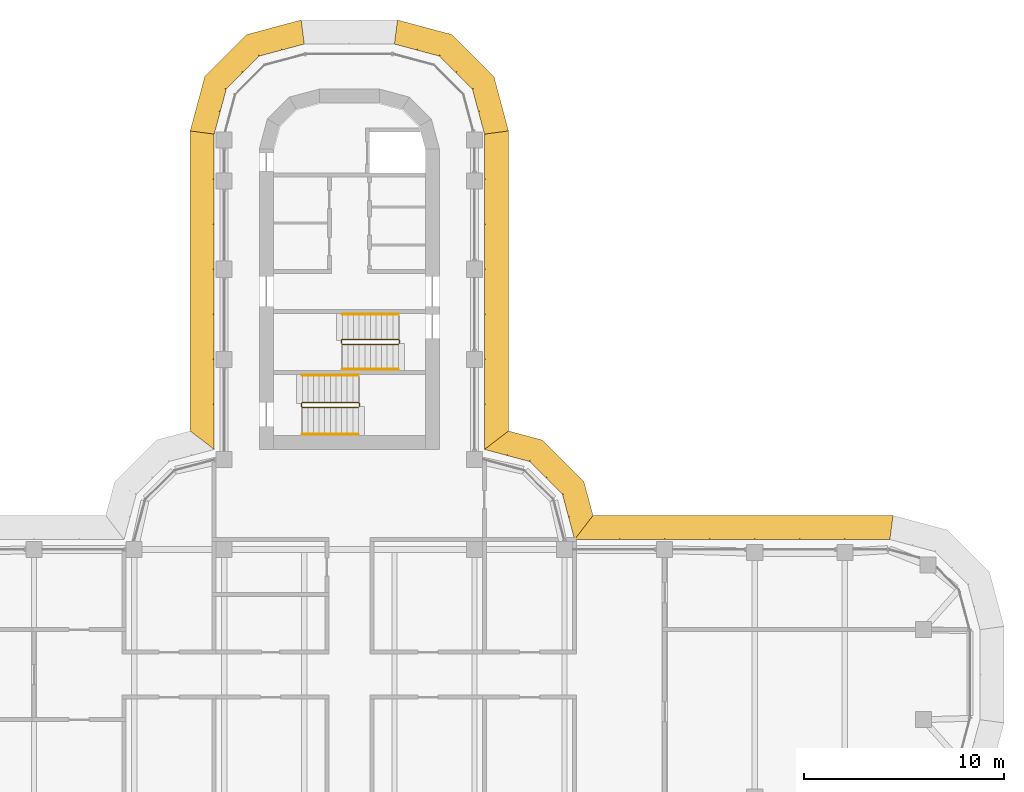
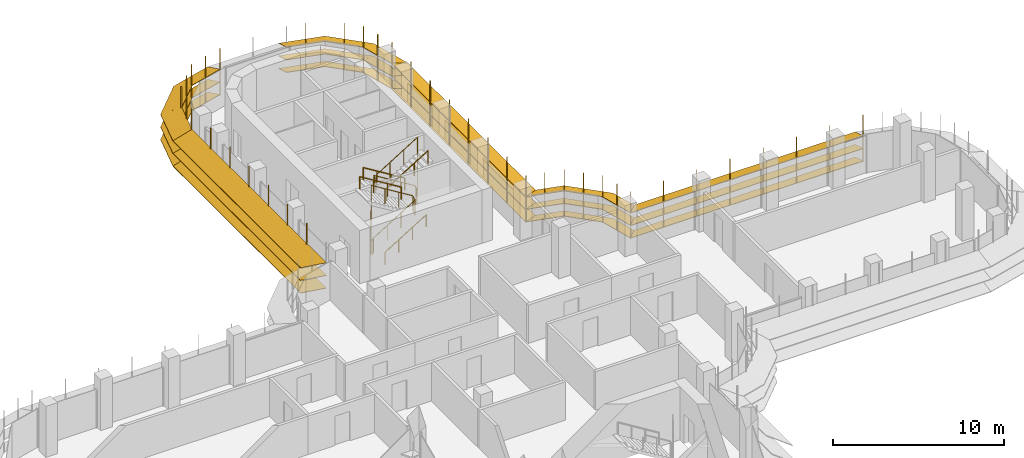
# One storey, part 19 of 20: 6 railings, 6 shading devices.
"""IFC4 building model written with IfcOpenShell, lengths in metres."""

from ifc_helpers import new_model, si_unit, direction, frame, origin, origin_2d, place, context, subcontext, project, spatial, polyline, circle, outline, extrude, faceted_brep, source, transform, mapped, material, type_object, element, save


model = new_model("IFC4")

# Units and contexts
model_context = context("Model", 3, precision=1e-05, world=origin(), true_north=direction((0.0, 1.0)))
body_context = subcontext(model_context, "Body", "Model", "MODEL_VIEW")
ifc_project = project(units=[si_unit("LENGTHUNIT", "METRE"), si_unit("AREAUNIT", "SQUARE_METRE"), si_unit("VOLUMEUNIT", "CUBIC_METRE"), si_unit("PLANEANGLEUNIT", "RADIAN"), si_unit("MASSUNIT", "GRAM", prefix="KILO")], contexts=[model_context])

# Site, building, storey
site_placement = place(None, origin())
site = spatial("IfcSite", under=ifc_project, at=site_placement, CompositionType="ELEMENT")
building_placement = place(site_placement, origin())
building = spatial("IfcBuilding", under=site, at=building_placement, Name="Zarbagh Exchange Tower", CompositionType="ELEMENT")
storey_placement = place(building_placement, frame((0.0, 0.0, 156.199951171875)))
storey = spatial("IfcBuildingStorey", under=building, at=storey_placement, Name="L37", CompositionType="ELEMENT", Elevation=156.199951171875)

# Railings
ifc_material_1 = material(Name="Stainless steel", Category="steel")
railing_type_1 = type_object("IfcRailingType", Name="Stair guard 1100 mm", PredefinedType="GUARDRAIL", material=ifc_material_1)
railing_1_placement = place(storey_placement, frame((-0.35009765625, 16.5, 2.07275390625)))
element("IfcRailing", 1, at=railing_1_placement, inside=storey, type_object=railing_type_1, Name="ST1 stair guard 1", PredefinedType="GUARDRAIL", context=body_context, shape_type="SweptSolid", body=[
    extrude(circle(Radius=0.02392578125, at=origin_2d()), frame((0.0, 0.0, 1.076171875), z_axis=(0.851089632645, 0.0, 0.525020415988), x_axis=(0.0, 1.0, 0.0)), (0.0, 0.0, 1.0), 3.2900390625),
    extrude(circle(Radius=0.02392578125, at=origin_2d()), frame((2.800048828125, 0.0, 2.80322265625), z_axis=(0.013168290981, 0.013168290981, -0.999826581076), x_axis=(-0.707106781187, 0.707106781187, 0.0)), (0.0, 0.0, 1.0), 3.80078125),
    extrude(circle(Radius=0.02392578125, at=origin_2d()), frame((2.85009765625, 0.050048828125, -0.99658203125), z_axis=(0.0, 1.0, 0.0), x_axis=(-1.0, 0.0, 0.0)), (0.0, 0.0, 1.0), 0.14990234375),
    extrude(circle(Radius=0.02392578125, at=origin_2d()), frame((2.85009765625, 0.199951171875, -0.99658203125), z_axis=(-0.267953482034, 0.267953482034, 0.925419830635), x_axis=(-0.707106781187, -0.707106781187, 0.0)), (0.0, 0.0, 1.0), 0.186767578125),
    extrude(circle(Radius=0.02392578125, at=origin_2d()), frame((2.800048828125, 0.25, -0.82373046875), z_axis=(-0.851089632645, 0.0, 0.525020415988), x_axis=(0.0, -1.0, 0.0)), (0.0, 0.0, 1.0), 3.2900390625),
    extrude(circle(Radius=0.02392578125, at=origin_2d()), frame((0.0, 0.25, 0.9033203125), z_axis=(-0.705375805398, -0.708833529934, 0.0), x_axis=(0.708833529934, -0.705375805398, 0.0)), (0.0, 0.0, 1.0), 0.070556640625),
    extrude(circle(Radius=0.02392578125, at=origin_2d()), frame((-0.0498046875, 0.199951171875, 0.9033203125), z_axis=(0.0, -1.0, 0.0), x_axis=(1.0, 0.0, 0.0)), (0.0, 0.0, 1.0), 0.14990234375),
    extrude(circle(Radius=0.02099609375, at=origin_2d()), origin(), (0.0, 0.0, 1.0), 1.052001953125),
    extrude(circle(Radius=0.02099609375, at=origin_2d()), frame((0.933349609375, 0.0, 0.57568359375)), (0.0, 0.0, 1.0), 1.052001953125),
    extrude(circle(Radius=0.02099609375, at=origin_2d()), frame((1.86669921875, 0.0, 1.151611328125)), (0.0, 0.0, 1.0), 1.052001953125),
    extrude(circle(Radius=0.02099609375, at=origin_2d()), frame((2.800048828125, 0.0, 1.727294921875)), (0.0, 0.0, 1.0), 1.052001953125),
    extrude(circle(Radius=0.02099609375, at=origin_2d()), frame((2.8125, 0.012451171875, 0.77734375)), (0.0, 0.0, 1.0), 1.052001953125),
    extrude(circle(Radius=0.02099609375, at=origin_2d()), frame((2.8251953125, 0.02490234375, -0.1728515625)), (0.0, 0.0, 1.0), 1.052001953125),
    extrude(circle(Radius=0.02099609375, at=origin_2d()), frame((2.837646484375, 0.03759765625, -1.122802734375)), (0.0, 0.0, 1.0), 1.052001953125),
    extrude(circle(Radius=0.02099609375, at=origin_2d()), frame((2.85009765625, 0.050048828125, -2.07275390625)), (0.0, 0.0, 1.0), 1.052001953125),
    extrude(circle(Radius=0.02099609375, at=origin_2d()), frame((2.85009765625, 0.199951171875, -2.07275390625)), (0.0, 0.0, 1.0), 1.052001953125),
    extrude(circle(Radius=0.02099609375, at=origin_2d()), frame((2.800048828125, 0.25, -1.89990234375)), (0.0, 0.0, 1.0), 1.052001953125),
    extrude(circle(Radius=0.02099609375, at=origin_2d()), frame((1.86669921875, 0.25, -1.32421875)), (0.0, 0.0, 1.0), 1.052001953125),
    extrude(circle(Radius=0.02099609375, at=origin_2d()), frame((0.933349609375, 0.25, -0.748291015625)), (0.0, 0.0, 1.0), 1.052001953125),
    extrude(circle(Radius=0.02099609375, at=origin_2d()), frame((0.0, 0.25, -0.172607421875)), (0.0, 0.0, 1.0), 1.052001953125),
    extrude(circle(Radius=0.02099609375, at=origin_2d()), frame((-0.0498046875, 0.199951171875, -0.172607421875)), (0.0, 0.0, 1.0), 1.052001953125),
    extrude(circle(Radius=0.02099609375, at=origin_2d()), frame((-0.0498046875, 0.050048828125, -0.172607421875)), (0.0, 0.0, 1.0), 1.052001953125),
])
railing_2_placement = place(storey_placement, frame((0.5, 13.39990234375, 1.900146484375)))
element("IfcRailing", 2, at=railing_2_placement, inside=storey, type_object=railing_type_1, Name="ST2 stair guard 1", PredefinedType="GUARDRAIL", context=body_context, shape_type="SweptSolid", body=[
    extrude(circle(Radius=0.02392578125, at=origin_2d()), frame((0.0, 0.0, 1.076171875), z_axis=(0.0, 1.0, 0.0), x_axis=(-1.0, 0.0, 0.0)), (0.0, 0.0, 1.0), 0.150146484375),
    extrude(circle(Radius=0.02392578125, at=origin_2d()), frame((0.0, 0.150146484375, 1.076171875), z_axis=(-0.268277960024, 0.268277960024, 0.925231793839), x_axis=(-0.707106781187, -0.707106781187, 0.0)), (0.0, 0.0, 1.0), 0.1865234375),
    extrude(circle(Radius=0.02392578125, at=origin_2d()), frame((-0.050048828125, 0.2001953125, 1.24853515625), z_axis=(-0.851089632645, 0.0, 0.525020415988), x_axis=(0.0, -1.0, 0.0)), (0.0, 0.0, 1.0), 3.2900390625),
    extrude(circle(Radius=0.02392578125, at=origin_2d()), frame((-2.85009765625, 0.2001953125, 2.97607421875), z_axis=(-0.013104066473, -0.013168302093, -0.99982742474), x_axis=(0.708833529934, -0.705375805398, 0.0)), (0.0, 0.0, 1.0), 3.80078125),
    extrude(circle(Radius=0.02392578125, at=origin_2d()), frame((-2.89990234375, 0.150146484375, -0.82421875), z_axis=(0.0, -1.0, 0.0), x_axis=(1.0, 0.0, 0.0)), (0.0, 0.0, 1.0), 0.150146484375),
    extrude(circle(Radius=0.02392578125, at=origin_2d()), frame((-2.89990234375, 0.0, -0.82421875), z_axis=(0.266832911964, -0.266832911964, 0.926067165051), x_axis=(0.707106781187, 0.707106781187, 0.0)), (0.0, 0.0, 1.0), 0.186767578125),
    extrude(circle(Radius=0.02392578125, at=origin_2d()), frame((-2.85009765625, -0.0498046875, -0.6513671875), z_axis=(0.851089632645, 0.0, 0.525020415988), x_axis=(0.0, 1.0, 0.0)), (0.0, 0.0, 1.0), 3.2900390625),
    extrude(circle(Radius=0.02099609375, at=origin_2d()), origin(), (0.0, 0.0, 1.0), 1.052001953125),
    extrude(circle(Radius=0.02099609375, at=origin_2d()), frame((0.0, 0.150146484375, 0.0)), (0.0, 0.0, 1.0), 1.052001953125),
    extrude(circle(Radius=0.02099609375, at=origin_2d()), frame((-0.050048828125, 0.2001953125, 0.172607421875)), (0.0, 0.0, 1.0), 1.052001953125),
    extrude(circle(Radius=0.02099609375, at=origin_2d()), frame((-0.9833984375, 0.2001953125, 0.748291015625)), (0.0, 0.0, 1.0), 1.052001953125),
    extrude(circle(Radius=0.02099609375, at=origin_2d()), frame((-1.916748046875, 0.2001953125, 1.32421875)), (0.0, 0.0, 1.0), 1.052001953125),
    extrude(circle(Radius=0.02099609375, at=origin_2d()), frame((-2.85009765625, 0.2001953125, 1.89990234375)), (0.0, 0.0, 1.0), 1.052001953125),
    extrude(circle(Radius=0.02099609375, at=origin_2d()), frame((-2.862548828125, 0.187744140625, 0.949951171875)), (0.0, 0.0, 1.0), 1.052001953125),
    extrude(circle(Radius=0.02099609375, at=origin_2d()), frame((-2.875, 0.17529296875, 0.0)), (0.0, 0.0, 1.0), 1.052001953125),
    extrude(circle(Radius=0.02099609375, at=origin_2d()), frame((-2.887451171875, 0.16259765625, -0.9501953125)), (0.0, 0.0, 1.0), 1.052001953125),
    extrude(circle(Radius=0.02099609375, at=origin_2d()), frame((-2.89990234375, 0.150146484375, -1.900146484375)), (0.0, 0.0, 1.0), 1.052001953125),
    extrude(circle(Radius=0.02099609375, at=origin_2d()), frame((-2.89990234375, 0.0, -1.900146484375)), (0.0, 0.0, 1.0), 1.052001953125),
    extrude(circle(Radius=0.02099609375, at=origin_2d()), frame((-2.85009765625, -0.0498046875, -1.727294921875)), (0.0, 0.0, 1.0), 1.052001953125),
    extrude(circle(Radius=0.02099609375, at=origin_2d()), frame((-1.916748046875, -0.0498046875, -1.151611328125)), (0.0, 0.0, 1.0), 1.052001953125),
    extrude(circle(Radius=0.02099609375, at=origin_2d()), frame((-0.9833984375, -0.0498046875, -0.57568359375)), (0.0, 0.0, 1.0), 1.052001953125),
    extrude(circle(Radius=0.02099609375, at=origin_2d()), frame((-0.050048828125, -0.0498046875, 0.0)), (0.0, 0.0, 1.0), 1.052001953125),
])
railing_type_2 = type_object("IfcRailingType", Name="Stair handrail 900 mm", PredefinedType="HANDRAIL", material=ifc_material_1)
railing_3_placement = place(storey_placement, frame((2.449951171875, 18.0, 0.1728515625)))
element("IfcRailing", 3, at=railing_3_placement, inside=storey, type_object=railing_type_2, Name="ST1 stair handrail 1", PredefinedType="HANDRAIL", context=body_context, shape_type="SweptSolid", body=[
    extrude(circle(Radius=0.02392578125, at=origin_2d()), frame((0.0, 0.0, 0.8759765625), z_axis=(-0.851089632645, 0.0, 0.525020415988), x_axis=(0.0, -1.0, 0.0)), (0.0, 0.0, 1.0), 3.2900390625),
    extrude(circle(Radius=0.02099609375, at=origin_2d()), origin(), (0.0, 0.0, 1.0), 0.851806640625),
    extrude(circle(Radius=0.02099609375, at=origin_2d()), frame((-0.933349609375, 0.0, 0.57568359375)), (0.0, 0.0, 1.0), 0.851806640625),
    extrude(circle(Radius=0.02099609375, at=origin_2d()), frame((-1.86669921875, 0.0, 1.151611328125)), (0.0, 0.0, 1.0), 0.851806640625),
    extrude(circle(Radius=0.02099609375, at=origin_2d()), frame((-2.800048828125, 0.0, 1.727294921875)), (0.0, 0.0, 1.0), 0.851806640625),
])
for number, where, name in (
    (4, (-0.35009765625, 15.25, 2.07275390625), "ST1 stair handrail 2"),
    (5, (-2.35009765625, 12.0, 0.1728515625), "ST2 stair handrail 1"),
):
    element("IfcRailing", number, at=place(storey_placement, frame(where)), inside=storey, type_object=railing_type_2, Name=name, PredefinedType="HANDRAIL", context=body_context, shape_type="SweptSolid", body=[
        extrude(circle(Radius=0.02392578125, at=origin_2d()), frame((0.0, 0.0, 0.8759765625), z_axis=(0.851089632645, 0.0, 0.525020415988), x_axis=(0.0, 1.0, 0.0)), (0.0, 0.0, 1.0), 3.2900390625),
        extrude(circle(Radius=0.02099609375, at=origin_2d()), origin(), (0.0, 0.0, 1.0), 0.851806640625),
        extrude(circle(Radius=0.02099609375, at=origin_2d()), frame((0.933349609375, 0.0, 0.57568359375)), (0.0, 0.0, 1.0), 0.851806640625),
        extrude(circle(Radius=0.02099609375, at=origin_2d()), frame((1.86669921875, 0.0, 1.151611328125)), (0.0, 0.0, 1.0), 0.851806640625),
        extrude(circle(Radius=0.02099609375, at=origin_2d()), frame((2.800048828125, 0.0, 1.727294921875)), (0.0, 0.0, 1.0), 0.851806640625),
    ])
railing_4_placement = place(storey_placement, frame((0.449951171875, 14.949951171875, 2.07275390625)))
element("IfcRailing", 6, at=railing_4_placement, inside=storey, type_object=railing_type_2, Name="ST2 stair handrail 2", PredefinedType="HANDRAIL", context=body_context, shape_type="SweptSolid", body=[
    extrude(circle(Radius=0.02392578125, at=origin_2d()), frame((0.0, 0.0, 0.8759765625), z_axis=(-0.851089632645, 0.0, 0.525020415988), x_axis=(0.0, -1.0, 0.0)), (0.0, 0.0, 1.0), 3.2900390625),
    extrude(circle(Radius=0.02099609375, at=origin_2d()), origin(), (0.0, 0.0, 1.0), 0.851806640625),
    extrude(circle(Radius=0.02099609375, at=origin_2d()), frame((-0.933349609375, 0.0, 0.57568359375)), (0.0, 0.0, 1.0), 0.851806640625),
    extrude(circle(Radius=0.02099609375, at=origin_2d()), frame((-1.86669921875, 0.0, 1.151611328125)), (0.0, 0.0, 1.0), 0.851806640625),
    extrude(circle(Radius=0.02099609375, at=origin_2d()), frame((-2.800048828125, 0.0, 1.727294921875)), (0.0, 0.0, 1.0), 0.851806640625),
])

# Shading devices
ifc_material_2 = material(Name="Anodised aluminium blades and brackets", Category="aluminium")
shading_device_type = type_object("IfcShadingDeviceType", Name="SUNSHADE louvre band, 22.5 degree blades", PredefinedType="JALOUSIE", material=ifc_material_2)
shared_shape_1 = source(origin(), body_context, "Body", "Brep", [
    faceted_brep([(0.0, 0.0, 0.0), (0.0, 0.0, -0.043212890625), (-0.157958984375, -1.199951171875, -0.540283203125), (-0.157958984375, -1.199951171875, -0.4970703125), (2.65087890625, -1.199951171875, -0.4970703125), (2.65087890625, -1.199951171875, -0.540283203125), (2.329345703125, 0.0, -0.043212890625), (2.329345703125, 0.0, 0.0)], [[[0, 1, 2, 3]], [[4, 5, 6, 7]], [[0, 7, 6, 1]], [[1, 6, 5, 2]], [[2, 5, 4, 3]], [[3, 4, 7, 0]]]),
])
shared_shape_2 = source(origin(), body_context, "Body", "Brep", [
    faceted_brep([(0.0, 0.0, 0.0), (0.0, 0.0, -0.043212890625), (-0.321533203125, -1.199951171875, -0.540283203125), (-0.321533203125, -1.199951171875, -0.4970703125), (2.65087890625, -1.199951171875, -0.4970703125), (2.65087890625, -1.199951171875, -0.540283203125), (2.329345703125, 0.0, -0.043212890625), (2.329345703125, 0.0, 0.0)], [[[0, 1, 2, 3]], [[4, 5, 6, 7]], [[0, 7, 6, 1]], [[1, 6, 5, 2]], [[2, 5, 4, 3]], [[3, 4, 7, 0]]]),
])
shared_shape_3 = source(origin(), body_context, "Body", "Brep", [
    faceted_brep([(0.0, 0.0, 0.0), (0.0, 0.0, -0.043212890625), (-0.321533203125, -1.199951171875, -0.540283203125), (-0.321533203125, -1.199951171875, -0.4970703125), (2.4873046875, -1.199951171875, -0.4970703125), (2.4873046875, -1.199951171875, -0.540283203125), (2.329345703125, 0.0, -0.043212890625), (2.329345703125, 0.0, 0.0)], [[[0, 1, 2, 3]], [[4, 5, 6, 7]], [[0, 7, 6, 1]], [[1, 6, 5, 2]], [[2, 5, 4, 3]], [[3, 4, 7, 0]]]),
])
shared_shape_4 = source(origin(), body_context, "Body", "SweptSolid", [
    extrude(outline(polyline([(0.0, -0.012451171875), (0.06005859375, -0.012451171875), (0.06005859375, 0.012451171875), (0.0, 0.012451171875), (0.0, -0.012451171875)])), origin(), (0.0, 0.0, 1.0), 3.353271484375),
])
placement = place(storey_placement, origin())
element("IfcShadingDevice", 7, at=placement, inside=storey, type_object=shading_device_type, Name="SS26 sunshade band", PredefinedType="JALOUSIE", context=body_context, shape_type="MappedRepresentation", body=[
    mapped(shared_shape_1, transform((6.75, 27.0, 2.300048828125), x_axis=(-0.258824779902, 0.965924289636, 0.0), y_axis=(-0.965924289636, -0.258824779902, 0.0), z_axis=(0.0, 0.0, 1.0))),
    mapped(shared_shape_1, transform((6.75, 27.0, 1.400146484375), x_axis=(-0.258824779902, 0.965924289636, 0.0), y_axis=(-0.965924289636, -0.258824779902, 0.0), z_axis=(0.0, 0.0, 1.0))),
    mapped(shared_shape_1, transform((6.75, 27.0, 0.5), x_axis=(-0.258824779902, 0.965924289636, 0.0), y_axis=(-0.965924289636, -0.258824779902, 0.0), z_axis=(0.0, 0.0, 1.0))),
    mapped(shared_shape_2, transform((6.147216796875, 29.25, 2.300048828125), x_axis=(-0.707106781187, 0.707106781187, 0.0), y_axis=(-0.707106781187, -0.707106781187, 0.0), z_axis=(0.0, 0.0, 1.0))),
    mapped(shared_shape_2, transform((6.147216796875, 29.25, 1.400146484375), x_axis=(-0.707106781187, 0.707106781187, 0.0), y_axis=(-0.707106781187, -0.707106781187, 0.0), z_axis=(0.0, 0.0, 1.0))),
    mapped(shared_shape_2, transform((6.147216796875, 29.25, 0.5), x_axis=(-0.707106781187, 0.707106781187, 0.0), y_axis=(-0.707106781187, -0.707106781187, 0.0), z_axis=(0.0, 0.0, 1.0))),
    mapped(shared_shape_3, transform((4.5, 30.897216796875, 2.300048828125), x_axis=(-0.965924289636, 0.258824779902, 0.0), y_axis=(-0.258824779902, -0.965924289636, 0.0), z_axis=(0.0, 0.0, 1.0))),
    mapped(shared_shape_3, transform((4.5, 30.897216796875, 1.400146484375), x_axis=(-0.965924289636, 0.258824779902, 0.0), y_axis=(-0.258824779902, -0.965924289636, 0.0), z_axis=(0.0, 0.0, 1.0))),
    mapped(shared_shape_3, transform((4.5, 30.897216796875, 0.5), x_axis=(-0.965924289636, 0.258824779902, 0.0), y_axis=(-0.258824779902, -0.965924289636, 0.0), z_axis=(0.0, 0.0, 1.0))),
    mapped(shared_shape_4, transform((6.75, 27.0, 0.4267578125), x_axis=(0.991444457092, 0.130529263012, 0.0), y_axis=(-0.130529263012, 0.991444457092, 0.0), z_axis=(0.0, 0.0, 1.0))),
    mapped(shared_shape_4, transform((6.448486328125, 28.125, 0.4267578125), x_axis=(0.96592421511, 0.258825058029, 0.0), y_axis=(-0.258825058029, 0.96592421511, 0.0), z_axis=(0.0, 0.0, 1.0))),
    mapped(shared_shape_4, transform((6.147216796875, 29.25, 0.4267578125), x_axis=(0.866023812018, 0.50000275701, 0.0), y_axis=(-0.50000275701, 0.866023812018, 0.0), z_axis=(0.0, 0.0, 1.0))),
    mapped(shared_shape_4, transform((5.323486328125, 30.073486328125, 0.4267578125), x_axis=(0.707106781187, 0.707106781187, 0.0), y_axis=(-0.707106781187, 0.707106781187, 0.0), z_axis=(0.0, 0.0, 1.0))),
    mapped(shared_shape_4, transform((4.5, 30.897216796875, 0.4267578125), x_axis=(0.50000275701, 0.866023812018, 0.0), y_axis=(-0.866023812018, 0.50000275701, 0.0), z_axis=(0.0, 0.0, 1.0))),
    mapped(shared_shape_4, transform((3.375, 31.198486328125, 0.4267578125), x_axis=(0.258825058029, 0.96592421511, 0.0), y_axis=(-0.96592421511, 0.258825058029, 0.0), z_axis=(0.0, 0.0, 1.0))),
])
element("IfcShadingDevice", 8, at=placement, inside=storey, type_object=shading_device_type, Name="SS28 sunshade band", PredefinedType="JALOUSIE", context=body_context, shape_type="MappedRepresentation", body=[
    mapped(shared_shape_1, transform((-2.25, 31.5, 2.300048828125), x_axis=(-0.965924289636, -0.258824779902, 0.0), y_axis=(0.258824779902, -0.965924289636, 0.0), z_axis=(0.0, 0.0, 1.0))),
    mapped(shared_shape_1, transform((-2.25, 31.5, 1.400146484375), x_axis=(-0.965924289636, -0.258824779902, 0.0), y_axis=(0.258824779902, -0.965924289636, 0.0), z_axis=(0.0, 0.0, 1.0))),
    mapped(shared_shape_1, transform((-2.25, 31.5, 0.5), x_axis=(-0.965924289636, -0.258824779902, 0.0), y_axis=(0.258824779902, -0.965924289636, 0.0), z_axis=(0.0, 0.0, 1.0))),
    mapped(shared_shape_2, transform((-4.5, 30.897216796875, 2.300048828125), x_axis=(-0.707106781187, -0.707106781187, 0.0), y_axis=(0.707106781187, -0.707106781187, 0.0), z_axis=(0.0, 0.0, 1.0))),
    mapped(shared_shape_2, transform((-4.5, 30.897216796875, 1.400146484375), x_axis=(-0.707106781187, -0.707106781187, 0.0), y_axis=(0.707106781187, -0.707106781187, 0.0), z_axis=(0.0, 0.0, 1.0))),
    mapped(shared_shape_2, transform((-4.5, 30.897216796875, 0.5), x_axis=(-0.707106781187, -0.707106781187, 0.0), y_axis=(0.707106781187, -0.707106781187, 0.0), z_axis=(0.0, 0.0, 1.0))),
    mapped(shared_shape_3, transform((-6.147216796875, 29.25, 2.300048828125), x_axis=(-0.258824779902, -0.965924289636, 0.0), y_axis=(0.965924289636, -0.258824779902, 0.0), z_axis=(0.0, 0.0, 1.0))),
    mapped(shared_shape_3, transform((-6.147216796875, 29.25, 1.400146484375), x_axis=(-0.258824779902, -0.965924289636, 0.0), y_axis=(0.965924289636, -0.258824779902, 0.0), z_axis=(0.0, 0.0, 1.0))),
    mapped(shared_shape_3, transform((-6.147216796875, 29.25, 0.5), x_axis=(-0.258824779902, -0.965924289636, 0.0), y_axis=(0.965924289636, -0.258824779902, 0.0), z_axis=(0.0, 0.0, 1.0))),
    mapped(shared_shape_4, transform((-2.25, 31.5, 0.4267578125), x_axis=(-0.130529263012, 0.991444457092, 0.0), y_axis=(-0.991444457092, -0.130529263012, 0.0), z_axis=(0.0, 0.0, 1.0))),
    mapped(shared_shape_4, transform((-3.375, 31.198486328125, 0.4267578125), x_axis=(-0.258825058029, 0.96592421511, 0.0), y_axis=(-0.96592421511, -0.258825058029, 0.0), z_axis=(0.0, 0.0, 1.0))),
    mapped(shared_shape_4, transform((-4.5, 30.897216796875, 0.4267578125), x_axis=(-0.50000275701, 0.866023812018, 0.0), y_axis=(-0.866023812018, -0.50000275701, 0.0), z_axis=(0.0, 0.0, 1.0))),
    mapped(shared_shape_4, transform((-5.323486328125, 30.073486328125, 0.4267578125), x_axis=(-0.707106781187, 0.707106781187, 0.0), y_axis=(-0.707106781187, -0.707106781187, 0.0), z_axis=(0.0, 0.0, 1.0))),
    mapped(shared_shape_4, transform((-6.147216796875, 29.25, 0.4267578125), x_axis=(-0.866023812018, 0.50000275701, 0.0), y_axis=(-0.50000275701, -0.866023812018, 0.0), z_axis=(0.0, 0.0, 1.0))),
    mapped(shared_shape_4, transform((-6.448486328125, 28.125, 0.4267578125), x_axis=(-0.96592421511, 0.258825058029, 0.0), y_axis=(-0.258825058029, -0.96592421511, 0.0), z_axis=(0.0, 0.0, 1.0))),
])
shared_shape_5 = source(origin(), body_context, "Body", "Brep", [
    faceted_brep([(0.0, 0.0, 0.0), (0.0, 0.0, -0.043212890625), (0.9208984375, -1.199951171875, -0.540283203125), (0.9208984375, -1.199951171875, -0.4970703125), (2.65087890625, -1.199951171875, -0.4970703125), (2.65087890625, -1.199951171875, -0.540283203125), (2.329345703125, 0.0, -0.043212890625), (2.329345703125, 0.0, 0.0)], [[[0, 1, 2, 3]], [[4, 5, 6, 7]], [[0, 7, 6, 1]], [[1, 6, 5, 2]], [[2, 5, 4, 3]], [[3, 4, 7, 0]]]),
])
shared_shape_6 = source(origin(), body_context, "Body", "Brep", [
    faceted_brep([(0.0, 0.0, 0.0), (0.0, 0.0, -0.043212890625), (-0.321533203125, -1.199951171875, -0.540283203125), (-0.321533203125, -1.199951171875, -0.4970703125), (1.40869140625, -1.199951171875, -0.4970703125), (1.40869140625, -1.199951171875, -0.540283203125), (2.329345703125, 0.0, -0.043212890625), (2.329345703125, 0.0, 0.0)], [[[0, 1, 2, 3]], [[4, 5, 6, 7]], [[0, 7, 6, 1]], [[1, 6, 5, 2]], [[2, 5, 4, 3]], [[3, 4, 7, 0]]]),
])
element("IfcShadingDevice", 9, at=placement, inside=storey, type_object=shading_device_type, Name="SS09 sunshade band", PredefinedType="JALOUSIE", context=body_context, shape_type="MappedRepresentation", body=[
    mapped(shared_shape_5, transform((11.25, 6.75, 2.300048828125), x_axis=(-0.258824779902, 0.965924289636, 0.0), y_axis=(-0.965924289636, -0.258824779902, 0.0), z_axis=(0.0, 0.0, 1.0))),
    mapped(shared_shape_5, transform((11.25, 6.75, 1.400146484375), x_axis=(-0.258824779902, 0.965924289636, 0.0), y_axis=(-0.965924289636, -0.258824779902, 0.0), z_axis=(0.0, 0.0, 1.0))),
    mapped(shared_shape_5, transform((11.25, 6.75, 0.5), x_axis=(-0.258824779902, 0.965924289636, 0.0), y_axis=(-0.965924289636, -0.258824779902, 0.0), z_axis=(0.0, 0.0, 1.0))),
    mapped(shared_shape_2, transform((10.647216796875, 9.0, 2.300048828125), x_axis=(-0.707106781187, 0.707106781187, 0.0), y_axis=(-0.707106781187, -0.707106781187, 0.0), z_axis=(0.0, 0.0, 1.0))),
    mapped(shared_shape_2, transform((10.647216796875, 9.0, 1.400146484375), x_axis=(-0.707106781187, 0.707106781187, 0.0), y_axis=(-0.707106781187, -0.707106781187, 0.0), z_axis=(0.0, 0.0, 1.0))),
    mapped(shared_shape_2, transform((10.647216796875, 9.0, 0.5), x_axis=(-0.707106781187, 0.707106781187, 0.0), y_axis=(-0.707106781187, -0.707106781187, 0.0), z_axis=(0.0, 0.0, 1.0))),
    mapped(shared_shape_6, transform((9.0, 10.647216796875, 2.300048828125), x_axis=(-0.965924289636, 0.258824779902, 0.0), y_axis=(-0.258824779902, -0.965924289636, 0.0), z_axis=(0.0, 0.0, 1.0))),
    mapped(shared_shape_6, transform((9.0, 10.647216796875, 1.400146484375), x_axis=(-0.965924289636, 0.258824779902, 0.0), y_axis=(-0.258824779902, -0.965924289636, 0.0), z_axis=(0.0, 0.0, 1.0))),
    mapped(shared_shape_6, transform((9.0, 10.647216796875, 0.5), x_axis=(-0.965924289636, 0.258824779902, 0.0), y_axis=(-0.258824779902, -0.965924289636, 0.0), z_axis=(0.0, 0.0, 1.0))),
    mapped(shared_shape_4, transform((11.25, 6.75, 0.4267578125), x_axis=(0.608758892, 0.793355287, 0.0), y_axis=(-0.793355287, 0.608758892, 0.0), z_axis=(0.0, 0.0, 1.0))),
    mapped(shared_shape_4, transform((10.948486328125, 7.875, 0.4267578125), x_axis=(0.96592421511, 0.258825058029, 0.0), y_axis=(-0.258825058029, 0.96592421511, 0.0), z_axis=(0.0, 0.0, 1.0))),
    mapped(shared_shape_4, transform((10.647216796875, 9.0, 0.4267578125), x_axis=(0.866023812018, 0.50000275701, 0.0), y_axis=(-0.50000275701, 0.866023812018, 0.0), z_axis=(0.0, 0.0, 1.0))),
    mapped(shared_shape_4, transform((9.823486328125, 9.823486328125, 0.4267578125), x_axis=(0.707106781187, 0.707106781187, 0.0), y_axis=(-0.707106781187, 0.707106781187, 0.0), z_axis=(0.0, 0.0, 1.0))),
    mapped(shared_shape_4, transform((9.0, 10.647216796875, 0.4267578125), x_axis=(0.50000275701, 0.866023812018, 0.0), y_axis=(-0.866023812018, 0.50000275701, 0.0), z_axis=(0.0, 0.0, 1.0))),
    mapped(shared_shape_4, transform((7.875, 10.948486328125, 0.4267578125), x_axis=(0.258825058029, 0.96592421511, 0.0), y_axis=(-0.96592421511, 0.258825058029, 0.0), z_axis=(0.0, 0.0, 1.0))),
])
shared_shape_7 = source(origin(), body_context, "Body", "Brep", [
    faceted_brep([(0.0, 0.0, 0.0), (0.0, 0.0, -0.043212890625), (-0.157958984375, -1.199951171875, -0.540283203125), (-0.157958984375, -1.199951171875, -0.4970703125), (14.8291015625, -1.199951171875, -0.4970703125), (14.8291015625, -1.199951171875, -0.540283203125), (15.75, 0.0, -0.043212890625), (15.75, 0.0, 0.0)], [[[0, 1, 2, 3]], [[4, 5, 6, 7]], [[0, 7, 6, 1]], [[1, 6, 5, 2]], [[2, 5, 4, 3]], [[3, 4, 7, 0]]]),
])
element("IfcShadingDevice", 10, at=placement, inside=storey, type_object=shading_device_type, Name="SS34 sunshade band", PredefinedType="JALOUSIE", context=body_context, shape_type="MappedRepresentation", body=[
    mapped(shared_shape_7, transform((27.0, 6.75, 2.300048828125), x_axis=(-1.0, 0.0, 0.0), y_axis=(0.0, -1.0, 0.0), z_axis=(0.0, 0.0, 1.0))),
    mapped(shared_shape_7, transform((27.0, 6.75, 1.400146484375), x_axis=(-1.0, 0.0, 0.0), y_axis=(0.0, -1.0, 0.0), z_axis=(0.0, 0.0, 1.0))),
    mapped(shared_shape_7, transform((27.0, 6.75, 0.5), x_axis=(-1.0, 0.0, 0.0), y_axis=(0.0, -1.0, 0.0), z_axis=(0.0, 0.0, 1.0))),
    mapped(shared_shape_4, transform((27.0, 6.75, 0.4267578125), x_axis=(0.130529263012, 0.991444457092, 0.0), y_axis=(-0.991444457092, 0.130529263012, 0.0), z_axis=(0.0, 0.0, 1.0))),
    mapped(shared_shape_4, transform((24.75, 6.75, 0.4267578125), x_axis=(0.0, 1.0, 0.0), y_axis=(-1.0, 0.0, 0.0), z_axis=(0.0, 0.0, 1.0))),
    mapped(shared_shape_4, transform((22.5, 6.75, 0.4267578125), x_axis=(0.0, 1.0, 0.0), y_axis=(-1.0, 0.0, 0.0), z_axis=(0.0, 0.0, 1.0))),
    mapped(shared_shape_4, transform((20.25, 6.75, 0.4267578125), x_axis=(0.0, 1.0, 0.0), y_axis=(-1.0, 0.0, 0.0), z_axis=(0.0, 0.0, 1.0))),
    mapped(shared_shape_4, transform((18.0, 6.75, 0.4267578125), x_axis=(0.0, 1.0, 0.0), y_axis=(-1.0, 0.0, 0.0), z_axis=(0.0, 0.0, 1.0))),
    mapped(shared_shape_4, transform((15.75, 6.75, 0.4267578125), x_axis=(0.0, 1.0, 0.0), y_axis=(-1.0, 0.0, 0.0), z_axis=(0.0, 0.0, 1.0))),
    mapped(shared_shape_4, transform((13.5, 6.75, 0.4267578125), x_axis=(0.0, 1.0, 0.0), y_axis=(-1.0, 0.0, 0.0), z_axis=(0.0, 0.0, 1.0))),
])
shared_shape_8 = source(origin(), body_context, "Body", "Brep", [
    faceted_brep([(0.0, 0.0, 0.0), (0.0, 0.0, -0.043212890625), (0.9208984375, -1.199951171875, -0.540283203125), (0.9208984375, -1.199951171875, -0.4970703125), (15.907958984375, -1.199951171875, -0.4970703125), (15.907958984375, -1.199951171875, -0.540283203125), (15.75, 0.0, -0.043212890625), (15.75, 0.0, 0.0)], [[[0, 1, 2, 3]], [[4, 5, 6, 7]], [[0, 7, 6, 1]], [[1, 6, 5, 2]], [[2, 5, 4, 3]], [[3, 4, 7, 0]]]),
])
element("IfcShadingDevice", 11, at=placement, inside=storey, type_object=shading_device_type, Name="SS25 sunshade band", PredefinedType="JALOUSIE", context=body_context, shape_type="MappedRepresentation", body=[
    mapped(shared_shape_8, transform((6.75, 11.25, 2.300048828125), x_axis=(0.0, 1.0, 0.0), y_axis=(-1.0, 0.0, 0.0), z_axis=(0.0, 0.0, 1.0))),
    mapped(shared_shape_8, transform((6.75, 11.25, 1.400146484375), x_axis=(0.0, 1.0, 0.0), y_axis=(-1.0, 0.0, 0.0), z_axis=(0.0, 0.0, 1.0))),
    mapped(shared_shape_8, transform((6.75, 11.25, 0.5), x_axis=(0.0, 1.0, 0.0), y_axis=(-1.0, 0.0, 0.0), z_axis=(0.0, 0.0, 1.0))),
    mapped(shared_shape_4, transform((6.75, 11.25, 0.4267578125), x_axis=(0.793355287, 0.608758892, 0.0), y_axis=(-0.608758892, 0.793355287, 0.0), z_axis=(0.0, 0.0, 1.0))),
    mapped(shared_shape_4, transform((6.75, 13.5, 0.4267578125), x_axis=(1.0, 0.0, 0.0), y_axis=(0.0, 1.0, 0.0), z_axis=(0.0, 0.0, 1.0))),
    mapped(shared_shape_4, transform((6.75, 15.75, 0.4267578125), x_axis=(1.0, 0.0, 0.0), y_axis=(0.0, 1.0, 0.0), z_axis=(0.0, 0.0, 1.0))),
    mapped(shared_shape_4, transform((6.75, 18.0, 0.4267578125), x_axis=(1.0, 0.0, 0.0), y_axis=(0.0, 1.0, 0.0), z_axis=(0.0, 0.0, 1.0))),
    mapped(shared_shape_4, transform((6.75, 20.25, 0.4267578125), x_axis=(1.0, 0.0, 0.0), y_axis=(0.0, 1.0, 0.0), z_axis=(0.0, 0.0, 1.0))),
    mapped(shared_shape_4, transform((6.75, 22.5, 0.4267578125), x_axis=(1.0, 0.0, 0.0), y_axis=(0.0, 1.0, 0.0), z_axis=(0.0, 0.0, 1.0))),
    mapped(shared_shape_4, transform((6.75, 24.75, 0.4267578125), x_axis=(1.0, 0.0, 0.0), y_axis=(0.0, 1.0, 0.0), z_axis=(0.0, 0.0, 1.0))),
])
element("IfcShadingDevice", 12, at=placement, inside=storey, type_object=shading_device_type, Name="SS29 sunshade band", PredefinedType="JALOUSIE", context=body_context, shape_type="MappedRepresentation", body=[
    mapped(shared_shape_7, transform((-6.75, 27.0, 2.300048828125), x_axis=(0.0, -1.0, 0.0), y_axis=(1.0, 0.0, 0.0), z_axis=(0.0, 0.0, 1.0))),
    mapped(shared_shape_7, transform((-6.75, 27.0, 1.400146484375), x_axis=(0.0, -1.0, 0.0), y_axis=(1.0, 0.0, 0.0), z_axis=(0.0, 0.0, 1.0))),
    mapped(shared_shape_7, transform((-6.75, 27.0, 0.5), x_axis=(0.0, -1.0, 0.0), y_axis=(1.0, 0.0, 0.0), z_axis=(0.0, 0.0, 1.0))),
    mapped(shared_shape_4, transform((-6.75, 27.0, 0.4267578125), x_axis=(-0.991444457092, 0.130529263012, 0.0), y_axis=(-0.130529263012, -0.991444457092, 0.0), z_axis=(0.0, 0.0, 1.0))),
    mapped(shared_shape_4, transform((-6.75, 24.75, 0.4267578125), x_axis=(-1.0, 0.0, 0.0), y_axis=(0.0, -1.0, 0.0), z_axis=(0.0, 0.0, 1.0))),
    mapped(shared_shape_4, transform((-6.75, 22.5, 0.4267578125), x_axis=(-1.0, 0.0, 0.0), y_axis=(0.0, -1.0, 0.0), z_axis=(0.0, 0.0, 1.0))),
    mapped(shared_shape_4, transform((-6.75, 20.25, 0.4267578125), x_axis=(-1.0, 0.0, 0.0), y_axis=(0.0, -1.0, 0.0), z_axis=(0.0, 0.0, 1.0))),
    mapped(shared_shape_4, transform((-6.75, 18.0, 0.4267578125), x_axis=(-1.0, 0.0, 0.0), y_axis=(0.0, -1.0, 0.0), z_axis=(0.0, 0.0, 1.0))),
    mapped(shared_shape_4, transform((-6.75, 15.75, 0.4267578125), x_axis=(-1.0, 0.0, 0.0), y_axis=(0.0, -1.0, 0.0), z_axis=(0.0, 0.0, 1.0))),
    mapped(shared_shape_4, transform((-6.75, 13.5, 0.4267578125), x_axis=(-1.0, 0.0, 0.0), y_axis=(0.0, -1.0, 0.0), z_axis=(0.0, 0.0, 1.0))),
])

save(model, "model.ifc")
